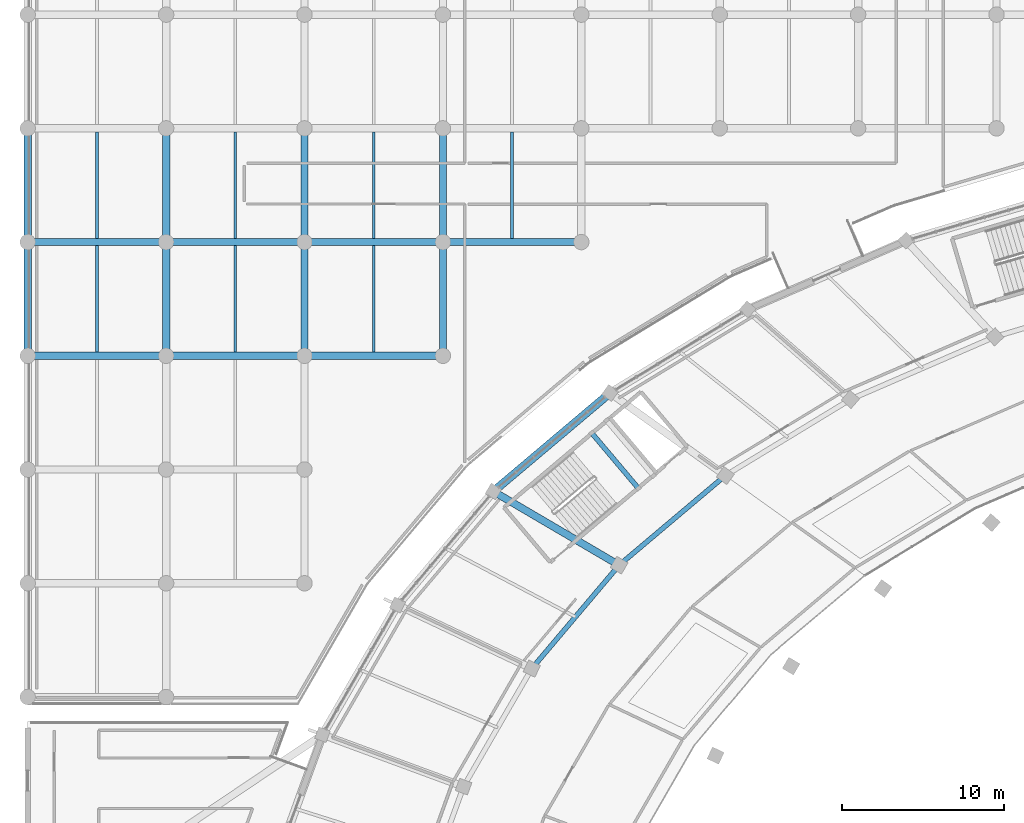
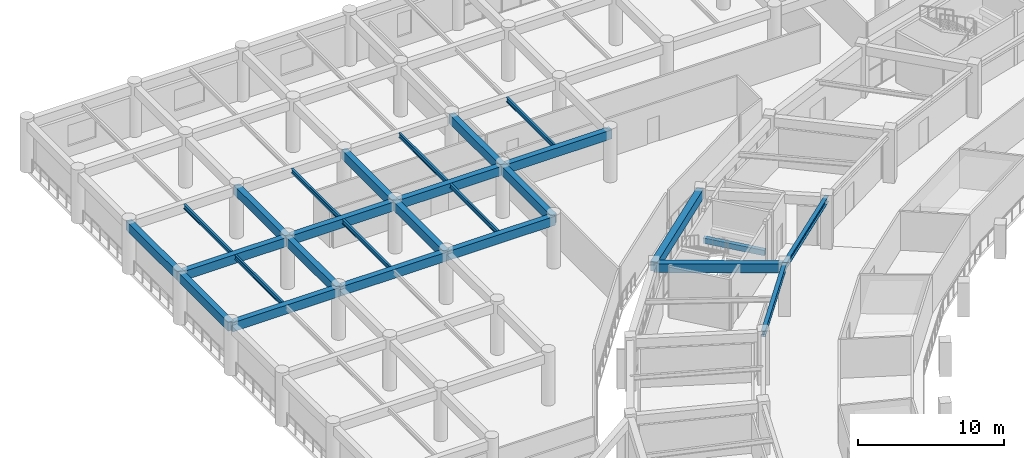
# One storey, part 50 of 141: 27 beams.
"""IFC4 building model written with IfcOpenShell, lengths in metres."""

import ifcopenshell
import ifcopenshell.guid

model = None  # the IFC model being written
_history = None  # IfcOwnerHistory: only IFC2X3 demands one
_inside = {}  # id of a spatial element -> (the spatial element, [elements in it])
_under = {}  # id of a project, library or spatial element -> (it, [spatial elements below it])
_declared = {}  # id of a project -> (the project, [libraries it declares])
_typed = {}  # id of a type object -> (the type object, [elements of that type])
_made_of = {}  # id of a material, layer set ... -> (it, [elements and type objects made of it])


def new_model(schema):
    """Start an empty IFC model of exactly this schema.

    Asked for "IFC4X3", IfcOpenShell would pick the latest addendum, in which some entities
    have other attributes; the version numbers below select the first issue.
    IFC2X3 requires an IfcOwnerHistory on every rooted entity: one is made here for all.
    """
    global model, _history
    if schema == "IFC4X3":
        model = ifcopenshell.file(schema_version=(4, 3, 0, 0))
    else:
        model = ifcopenshell.file(schema=schema)
    _inside.clear()
    _under.clear()
    _declared.clear()
    _typed.clear()
    _made_of.clear()
    _history = None
    if model.schema == "IFC2X3":
        org = make("IfcOrganization", Name="unknown")
        user = make(
            "IfcPersonAndOrganization",
            ThePerson=make("IfcPerson", FamilyName="unknown"),
            TheOrganization=org,
        )
        app = make(
            "IfcApplication",
            ApplicationDeveloper=org,
            Version="unknown",
            ApplicationFullName="unknown",
            ApplicationIdentifier="unknown",
        )
        _history = make(
            "IfcOwnerHistory",
            OwningUser=user,
            OwningApplication=app,
            ChangeAction="ADDED",
            CreationDate=0,
        )
    return model


def make(cls, **values):
    """One entity of the class cls with the attributes given. An attribute that is None is left unset."""
    return model.create_entity(
        cls, **{name: value for name, value in values.items() if value is not None}
    )


def rooted(cls, **values):
    """An entity with a GlobalId (a new one), such as an element, a storey or a relation."""
    return make(cls, GlobalId=ifcopenshell.guid.new(), OwnerHistory=_history, **values)


def si_unit(unit_type, name, prefix=None):
    """IfcSIUnit, for example si_unit("LENGTHUNIT", "METRE", prefix="MILLI")."""
    return make("IfcSIUnit", UnitType=unit_type, Prefix=prefix, Name=name)


def assignment(units):
    """IfcUnitAssignment: the units of a project."""
    return None if units is None else make("IfcUnitAssignment", Units=units)


def point(xyz):
    """IfcCartesianPoint."""
    return None if xyz is None else make("IfcCartesianPoint", Coordinates=xyz)


def direction(xyz):
    """IfcDirection."""
    return None if xyz is None else make("IfcDirection", DirectionRatios=xyz)


def frame(location, z_axis=None, x_axis=None):
    """IfcAxis2Placement3D, a coordinate frame: its origin and axes. An axis left out is left unset."""
    return make(
        "IfcAxis2Placement3D",
        Location=point(location),
        Axis=direction(z_axis),
        RefDirection=direction(x_axis),
    )


def frame_2d(location, x_axis=None):
    """IfcAxis2Placement2D, a coordinate frame in the plane: its origin and x axis."""
    return make(
        "IfcAxis2Placement2D", Location=point(location), RefDirection=direction(x_axis)
    )


def origin():
    """The frame at (0, 0, 0) with its axes left unset."""
    return frame((0.0, 0.0, 0.0))


def origin_2d():
    """The frame at (0, 0) in the plane with its x axis left unset."""
    return frame_2d((0.0, 0.0))


def place(relative_to, where):
    """IfcLocalPlacement: puts the frame where relative to a parent placement (None: the world)."""
    return make(
        "IfcLocalPlacement", PlacementRelTo=relative_to, RelativePlacement=where
    )


def context(
    kind, dimensions, precision=None, world=None, true_north=None, identifier=None
):
    """IfcGeometricRepresentationContext, for example the 3D "Model" context."""
    return make(
        "IfcGeometricRepresentationContext",
        ContextIdentifier=identifier,
        ContextType=kind,
        CoordinateSpaceDimension=dimensions,
        Precision=precision,
        WorldCoordinateSystem=world,
        TrueNorth=true_north,
    )


def subcontext(parent, identifier, kind, view, scale=None):
    """IfcGeometricRepresentationSubContext, for example "Body" below "Model"."""
    return make(
        "IfcGeometricRepresentationSubContext",
        ContextIdentifier=identifier,
        ContextType=kind,
        ParentContext=parent,
        TargetScale=scale,
        TargetView=view,
    )


def project(units=None, contexts=None):
    """IfcProject with its units and contexts."""
    return rooted(
        "IfcProject",
        Name="project",
        RepresentationContexts=contexts,
        UnitsInContext=assignment(units),
    )


def spatial(cls, under=None, at=None, **own):
    """A site, building, storey or space (cls), placed at a placement, below another one or the project."""
    s = rooted(cls, ObjectPlacement=at, **own)
    if under is not None:
        _under.setdefault(under.id(), (under, []))[1].append(s)
    return s


def profile(cls, at=None, kind="AREA", **sizes):
    """A parametric profile (cls). Its sizes go by their IFC names, for example OverallWidth=200.0."""
    return make(cls, ProfileType=kind, Position=at, **sizes)


def rectangle(**sizes):
    """IfcRectangleProfileDef."""
    return profile("IfcRectangleProfileDef", **sizes)


def i_section(**sizes):
    """IfcIShapeProfileDef."""
    return profile("IfcIShapeProfileDef", **sizes)


def extrude(swept, where, along, depth):
    """IfcExtrudedAreaSolid: the profile swept, set in the frame where, extruded along a direction by depth."""
    return make(
        "IfcExtrudedAreaSolid",
        SweptArea=swept,
        Position=where,
        ExtrudedDirection=direction(along),
        Depth=depth,
    )


def shape(context_of_items, identifier, shape_type, items):
    """IfcShapeRepresentation: the items that make up one representation, for example the "Body"."""
    return make(
        "IfcShapeRepresentation",
        ContextOfItems=context_of_items,
        RepresentationIdentifier=identifier,
        RepresentationType=shape_type,
        Items=items,
    )


def material(Name=None, Category=None):
    """IfcMaterial."""
    return make("IfcMaterial", Name=Name, Category=Category)


def material_profile(
    of_material, cross_section, Name=None, Category=None, Priority=None
):
    """IfcMaterialProfile: a cross section and its material."""
    return make(
        "IfcMaterialProfile",
        Name=Name,
        Material=of_material,
        Profile=cross_section,
        Priority=Priority,
        Category=Category,
    )


def profile_set(profiles, Name=None, composite=None):
    """IfcMaterialProfileSet."""
    return make(
        "IfcMaterialProfileSet",
        Name=Name,
        MaterialProfiles=profiles,
        CompositeProfile=composite,
    )


def made_of(thing, what):
    """Note that an element or type object is made of a material, layer set ...; save() writes the relation."""
    if what is not None:
        _made_of.setdefault(what.id(), (what, []))[1].append(thing)
    return thing


def type_object(cls, material=None, **own):
    """A type object (cls), such as IfcWallType, which elements share."""
    return made_of(rooted(cls, **own), material)


def element(
    cls,
    number,
    at=None,
    inside=None,
    cuts=None,
    type_object=None,
    material=None,
    context=None,
    identifier="Body",
    shape_type=None,
    held_by="IfcProductDefinitionShape",
    body=None,
    shapes=None,
    **own,
):
    """One element of the class cls, such as IfcWall. Its Tag is "e" and its number.

    at: its placement. inside: the storey or other place that contains it. cuts: it is an
    opening in that element (IfcRelVoidsElement). A single representation is given by context,
    identifier, shape_type and body (its items); several are given by shapes. held_by: the class
    of the entity that holds the representations. save() writes the other relations.
    """
    e = rooted(cls, Tag="e%d" % number, ObjectPlacement=at, **own)
    if body is not None:
        shapes = [shape(context, identifier, shape_type, body)]
    if shapes is not None:
        e.Representation = make(held_by, Representations=shapes)
    if inside is not None:
        _inside.setdefault(inside.id(), (inside, []))[1].append(e)
    if cuts is not None:
        rooted(
            "IfcRelVoidsElement", RelatingBuildingElement=cuts, RelatedOpeningElement=e
        )
    if type_object is not None:
        _typed.setdefault(type_object.id(), (type_object, []))[1].append(e)
    return made_of(e, material)


def aggregate(whole, parts):
    """IfcRelAggregates: a whole, such as a stair, and the parts it consists of."""
    return rooted("IfcRelAggregates", RelatingObject=whole, RelatedObjects=parts)


def save(model, path):
    """Write the relations noted so far, then the file.

    IfcRelAggregates (storeys below a building ...), IfcRelContainedInSpatialStructure (elements
    in a storey), IfcRelDefinesByType, IfcRelAssociatesMaterial and IfcRelDeclares: one each for
    every whole, place, type object, material and project.
    """
    for whole, parts in _under.values():
        aggregate(whole, parts)
    for where, things in _inside.values():
        rooted(
            "IfcRelContainedInSpatialStructure",
            RelatedElements=things,
            RelatingStructure=where,
        )
    for kind, things in _typed.values():
        rooted("IfcRelDefinesByType", RelatedObjects=things, RelatingType=kind)
    for what, things in _made_of.values():
        rooted("IfcRelAssociatesMaterial", RelatedObjects=things, RelatingMaterial=what)
    for by, libraries in _declared.values():
        rooted("IfcRelDeclares", RelatingContext=by, RelatedDefinitions=libraries)
    model.write(path)


model = new_model("IFC4")

# Units and contexts
model_context = context("Model", 3, precision=1e-05, world=origin(), true_north=direction((0.0, 1.0)))
body_context = subcontext(model_context, "Body", "Model", "MODEL_VIEW")
ifc_project = project(units=[si_unit("LENGTHUNIT", "METRE"), si_unit("AREAUNIT", "SQUARE_METRE"), si_unit("VOLUMEUNIT", "CUBIC_METRE"), si_unit("PLANEANGLEUNIT", "RADIAN"), si_unit("MASSUNIT", "GRAM", prefix="KILO")], contexts=[model_context])

# Site, building, storey
site_placement = place(None, origin())
site = spatial("IfcSite", under=ifc_project, at=site_placement, CompositionType="ELEMENT")
building_placement = place(site_placement, origin())
building = spatial("IfcBuilding", under=site, at=building_placement, Name="Mphavela Belvedere Stadium", CompositionType="ELEMENT")
storey_placement = place(building_placement, frame((0.0, 0.0, 14.699951171875)))
storey = spatial("IfcBuildingStorey", under=building, at=storey_placement, Name="L03", CompositionType="ELEMENT", Elevation=14.699951171875)

# Beams
ifc_material_1 = material(Name="Steel S355", Category="steel")
ifc_material_profile_1 = material_profile(ifc_material_1, i_section(OverallWidth=0.169921875, OverallDepth=0.360107421875, WebThickness=0.008056640625, FlangeThickness=0.0126953125, at=origin_2d()), Name="IPE 360")
ifc_profile_set_1 = profile_set([ifc_material_profile_1], Name="Steel S355")
beam_type_1 = type_object("IfcBeamType", Name="BM-JOIST-IPE360", PredefinedType="JOIST", material=ifc_profile_set_1)
for number, where, z_axis, x_axis, name in (
    (1, (4.259521484375, 146.22509765625, 4.06005859375), (0.0, 1.0, 0.0), (-1.0, 0.0, 0.0), "North Mast and Ceremonial End Forecourt secondary joist L03 1-4"),
    (2, (4.259521484375, 153.22509765625, 4.06005859375), (0.0, 1.0, 0.0), (-1.0, 0.0, 0.0), "North Mast and Ceremonial End Forecourt secondary joist L03 1-5"),
    (3, (12.778076171875, 146.22509765625, 4.06005859375), (0.0, 1.0, 0.0), (-1.0, 0.0, 0.0), "North Mast and Ceremonial End Forecourt secondary joist L03 2-4"),
    (4, (12.778076171875, 153.22509765625, 4.06005859375), (0.0, 1.0, 0.0), (-1.0, 0.0, 0.0), "North Mast and Ceremonial End Forecourt secondary joist L03 2-5"),
    (5, (21.29638671875, 146.22509765625, 4.06005859375), (0.0, 1.0, 0.0), (-1.0, 0.0, 0.0), "North Mast and Ceremonial End Forecourt secondary joist L03 3-4"),
    (6, (21.29638671875, 153.22509765625, 4.06005859375), (0.0, 1.0, 0.0), (-1.0, 0.0, 0.0), "North Mast and Ceremonial End Forecourt secondary joist L03 3-5"),
    (7, (29.81494140625, 153.22509765625, 4.06005859375), (0.0, 1.0, 0.0), (-1.0, 0.0, 0.0), "North Mast and Ceremonial End Forecourt secondary joist L03 4-5"),
):
    element("IfcBeam", number, at=place(storey_placement, frame(where, z_axis=z_axis, x_axis=x_axis)), inside=storey, type_object=beam_type_1, Name=name, PredefinedType="JOIST", context=body_context, shape_type="SweptSolid", body=[
        extrude(i_section(OverallWidth=0.169921875, OverallDepth=0.360107421875, WebThickness=0.008056640625, FlangeThickness=0.0126953125, at=origin_2d()), origin(), (0.0, 0.0, 1.0), 6.5498046875),
    ])
ifc_material_2 = material(Name="Concrete C40/50", Category="concrete")
ifc_material_profile_2 = material_profile(ifc_material_2, rectangle(XDim=0.300048828125, YDim=0.449951171875, at=origin_2d()), Name="RC 300x450")
ifc_profile_set_2 = profile_set([ifc_material_profile_2], Name="Concrete C40/50")
beam_type_2 = type_object("IfcBeamType", Name="BM-RC300x450", PredefinedType="BEAM", material=ifc_profile_set_2)
beam_1_placement = place(storey_placement, frame((37.5927734375, 137.838623046875, 1.824951171875), z_axis=(-0.644915803055, 0.764253627384, 0.0), x_axis=(-0.764253627384, -0.644915803055, 0.0)))
element("IfcBeam", 8, at=beam_1_placement, inside=storey, type_object=beam_type_2, Name="Core C05 landing trimmer beam L03-1", PredefinedType="BEAM", context=body_context, shape_type="SweptSolid", body=[
    extrude(rectangle(XDim=0.300048828125, YDim=0.449951171875, at=origin_2d()), origin(), (0.0, 0.0, 1.0), 4.469970703125),
])
ifc_material_3 = material(Name="Concrete C40/50", Category="concrete")
ifc_material_profile_3 = material_profile(ifc_material_3, rectangle(XDim=0.449951171875, YDim=0.75, at=origin_2d()), Name="RC 450x750")
ifc_profile_set_3 = profile_set([ifc_material_profile_3], Name="Concrete C40/50")
beam_type_3 = type_object("IfcBeamType", Name="BM-RC450x750", PredefinedType="BEAM", material=ifc_profile_set_3)
beam_2_placement = place(storey_placement, frame((36.399658203125, 133.11376953125, 3.875), z_axis=(-0.862517779395, 0.506026758411, 0.0), x_axis=(-0.506026758411, -0.862517779395, 0.0)))
element("IfcBeam", 9, at=beam_2_placement, inside=storey, type_object=beam_type_3, Name="Radial concourse girder L03 R3R4-20", PredefinedType="BEAM", context=body_context, shape_type="SweptSolid", body=[
    extrude(rectangle(XDim=0.449951171875, YDim=0.75, at=origin_2d()), origin(), (0.0, 0.0, 1.0), 8.971435546875),
])
beam_3_placement = place(storey_placement, frame((0.0, 146.0, 3.864990234375), z_axis=(1.0, 0.0, 0.0), x_axis=(0.0, 1.0, 0.0)))
element("IfcBeam", 10, at=beam_3_placement, inside=storey, type_object=beam_type_3, Name="North Mast and Ceremonial End Forecourt entablature beam X L03 1-4", PredefinedType="BEAM", context=body_context, shape_type="SweptSolid", body=[
    extrude(rectangle(XDim=0.449951171875, YDim=0.75, at=origin_2d()), origin(), (0.0, 0.0, 1.0), 8.51904296875),
])
beam_4_placement = place(storey_placement, frame((0.0, 146.0, 3.864990234375), z_axis=(0.0, 1.0, 0.0), x_axis=(-1.0, 0.0, 0.0)))
element("IfcBeam", 11, at=beam_4_placement, inside=storey, type_object=beam_type_3, Name="North Mast and Ceremonial End Forecourt entablature beam Y L03 1-4", PredefinedType="BEAM", context=body_context, shape_type="SweptSolid", body=[
    extrude(rectangle(XDim=0.449951171875, YDim=0.75, at=origin_2d()), origin(), (0.0, 0.0, 1.0), 7.0),
])
beam_5_placement = place(storey_placement, frame((0.0, 153.0, 3.864990234375), z_axis=(1.0, 0.0, 0.0), x_axis=(0.0, 1.0, 0.0)))
element("IfcBeam", 12, at=beam_5_placement, inside=storey, type_object=beam_type_3, Name="North Mast and Ceremonial End Forecourt entablature beam X L03 1-5", PredefinedType="BEAM", context=body_context, shape_type="SweptSolid", body=[
    extrude(rectangle(XDim=0.449951171875, YDim=0.75, at=origin_2d()), origin(), (0.0, 0.0, 1.0), 8.51904296875),
])
beam_6_placement = place(storey_placement, frame((0.0, 153.0, 3.864990234375), z_axis=(0.0, 1.0, 0.0), x_axis=(-1.0, 0.0, 0.0)))
element("IfcBeam", 13, at=beam_6_placement, inside=storey, type_object=beam_type_3, Name="North Mast and Ceremonial End Forecourt entablature beam Y L03 1-5", PredefinedType="BEAM", context=body_context, shape_type="SweptSolid", body=[
    extrude(rectangle(XDim=0.449951171875, YDim=0.75, at=origin_2d()), origin(), (0.0, 0.0, 1.0), 7.0),
])
beam_7_placement = place(storey_placement, frame((8.51904296875, 146.0, 3.864990234375), z_axis=(1.0, 0.0, 0.0), x_axis=(0.0, 1.0, 0.0)))
element("IfcBeam", 14, at=beam_7_placement, inside=storey, type_object=beam_type_3, Name="North Mast and Ceremonial End Forecourt entablature beam X L03 2-4", PredefinedType="BEAM", context=body_context, shape_type="SweptSolid", body=[
    extrude(rectangle(XDim=0.449951171875, YDim=0.75, at=origin_2d()), origin(), (0.0, 0.0, 1.0), 8.51806640625),
])
beam_8_placement = place(storey_placement, frame((8.51904296875, 146.0, 3.864990234375), z_axis=(0.0, 1.0, 0.0), x_axis=(-1.0, 0.0, 0.0)))
element("IfcBeam", 15, at=beam_8_placement, inside=storey, type_object=beam_type_3, Name="North Mast and Ceremonial End Forecourt entablature beam Y L03 2-4", PredefinedType="BEAM", context=body_context, shape_type="SweptSolid", body=[
    extrude(rectangle(XDim=0.449951171875, YDim=0.75, at=origin_2d()), origin(), (0.0, 0.0, 1.0), 7.0),
])
beam_9_placement = place(storey_placement, frame((8.51904296875, 153.0, 3.864990234375), z_axis=(1.0, 0.0, 0.0), x_axis=(0.0, 1.0, 0.0)))
element("IfcBeam", 16, at=beam_9_placement, inside=storey, type_object=beam_type_3, Name="North Mast and Ceremonial End Forecourt entablature beam X L03 2-5", PredefinedType="BEAM", context=body_context, shape_type="SweptSolid", body=[
    extrude(rectangle(XDim=0.449951171875, YDim=0.75, at=origin_2d()), origin(), (0.0, 0.0, 1.0), 8.51806640625),
])
beam_10_placement = place(storey_placement, frame((8.51904296875, 153.0, 3.864990234375), z_axis=(0.0, 1.0, 0.0), x_axis=(-1.0, 0.0, 0.0)))
element("IfcBeam", 17, at=beam_10_placement, inside=storey, type_object=beam_type_3, Name="North Mast and Ceremonial End Forecourt entablature beam Y L03 2-5", PredefinedType="BEAM", context=body_context, shape_type="SweptSolid", body=[
    extrude(rectangle(XDim=0.449951171875, YDim=0.75, at=origin_2d()), origin(), (0.0, 0.0, 1.0), 7.0),
])
beam_11_placement = place(storey_placement, frame((17.037109375, 146.0, 3.864990234375), z_axis=(1.0, 0.0, 0.0), x_axis=(0.0, 1.0, 0.0)))
element("IfcBeam", 18, at=beam_11_placement, inside=storey, type_object=beam_type_3, Name="North Mast and Ceremonial End Forecourt entablature beam X L03 3-4", PredefinedType="BEAM", context=body_context, shape_type="SweptSolid", body=[
    extrude(rectangle(XDim=0.449951171875, YDim=0.75, at=origin_2d()), origin(), (0.0, 0.0, 1.0), 8.518798828125),
])
beam_12_placement = place(storey_placement, frame((17.037109375, 146.0, 3.864990234375), z_axis=(0.0, 1.0, 0.0), x_axis=(-1.0, 0.0, 0.0)))
element("IfcBeam", 19, at=beam_12_placement, inside=storey, type_object=beam_type_3, Name="North Mast and Ceremonial End Forecourt entablature beam Y L03 3-4", PredefinedType="BEAM", context=body_context, shape_type="SweptSolid", body=[
    extrude(rectangle(XDim=0.449951171875, YDim=0.75, at=origin_2d()), origin(), (0.0, 0.0, 1.0), 7.0),
])
beam_13_placement = place(storey_placement, frame((17.037109375, 153.0, 3.864990234375), z_axis=(1.0, 0.0, 0.0), x_axis=(0.0, 1.0, 0.0)))
element("IfcBeam", 20, at=beam_13_placement, inside=storey, type_object=beam_type_3, Name="North Mast and Ceremonial End Forecourt entablature beam X L03 3-5", PredefinedType="BEAM", context=body_context, shape_type="SweptSolid", body=[
    extrude(rectangle(XDim=0.449951171875, YDim=0.75, at=origin_2d()), origin(), (0.0, 0.0, 1.0), 8.518798828125),
])
for number, where, z_axis, x_axis, name in (
    (21, (17.037109375, 153.0, 3.864990234375), (0.0, 1.0, 0.0), (-1.0, 0.0, 0.0), "North Mast and Ceremonial End Forecourt entablature beam Y L03 3-5"),
    (22, (25.555908203125, 146.0, 3.864990234375), (0.0, 1.0, 0.0), (-1.0, 0.0, 0.0), "North Mast and Ceremonial End Forecourt entablature beam Y L03 4-4"),
):
    element("IfcBeam", number, at=place(storey_placement, frame(where, z_axis=z_axis, x_axis=x_axis)), inside=storey, type_object=beam_type_3, Name=name, PredefinedType="BEAM", context=body_context, shape_type="SweptSolid", body=[
        extrude(rectangle(XDim=0.449951171875, YDim=0.75, at=origin_2d()), origin(), (0.0, 0.0, 1.0), 7.0),
    ])
beam_14_placement = place(storey_placement, frame((25.555908203125, 153.0, 3.864990234375), z_axis=(1.0, 0.0, 0.0), x_axis=(0.0, 1.0, 0.0)))
element("IfcBeam", 23, at=beam_14_placement, inside=storey, type_object=beam_type_3, Name="North Mast and Ceremonial End Forecourt entablature beam X L03 4-5", PredefinedType="BEAM", context=body_context, shape_type="SweptSolid", body=[
    extrude(rectangle(XDim=0.449951171875, YDim=0.75, at=origin_2d()), origin(), (0.0, 0.0, 1.0), 8.51806640625),
])
beam_15_placement = place(storey_placement, frame((25.555908203125, 153.0, 3.864990234375), z_axis=(0.0, 1.0, 0.0), x_axis=(-1.0, 0.0, 0.0)))
element("IfcBeam", 24, at=beam_15_placement, inside=storey, type_object=beam_type_3, Name="North Mast and Ceremonial End Forecourt entablature beam Y L03 4-5", PredefinedType="BEAM", context=body_context, shape_type="SweptSolid", body=[
    extrude(rectangle(XDim=0.449951171875, YDim=0.75, at=origin_2d()), origin(), (0.0, 0.0, 1.0), 7.0),
])
ifc_material_4 = material(Name="Concrete C40/50", Category="concrete")
ifc_material_profile_4 = material_profile(ifc_material_4, rectangle(XDim=0.5, YDim=0.800048828125, at=origin_2d()), Name="RC 500x800")
ifc_profile_set_4 = profile_set([ifc_material_profile_4], Name="Concrete C40/50")
beam_type_4 = type_object("IfcBeamType", Name="BM-SPANDREL-800", PredefinedType="SPANDREL", material=ifc_profile_set_4)
beam_16_placement = place(storey_placement, frame((35.844482421875, 143.714599609375, 3.85009765625), z_axis=(-0.76426547638, -0.644901761212, 0.0), x_axis=(0.644901761212, -0.76426547638, 0.0)))
element("IfcBeam", 25, at=beam_16_placement, inside=storey, type_object=beam_type_4, Name="Circumferential girder L03 R4-19", PredefinedType="SPANDREL", context=body_context, shape_type="SweptSolid", body=[
    extrude(rectangle(XDim=0.5, YDim=0.800048828125, at=origin_2d()), origin(), (0.0, 0.0, 1.0), 9.3984375),
])
ifc_material_5 = material(Name="Steel S355", Category="steel")
ifc_material_profile_5 = material_profile(ifc_material_5, i_section(OverallWidth=0.300048828125, OverallDepth=0.489990234375, WebThickness=0.011962890625, FlangeThickness=0.02294921875, at=origin_2d()), Name="HEA 500")
ifc_profile_set_5 = profile_set([ifc_material_profile_5], Name="Steel S355")
beam_type_5 = type_object("IfcBeamType", Name="BM-STEEL-HEA500", PredefinedType="BEAM", material=ifc_profile_set_5)
beam_17_placement = place(storey_placement, frame((42.938720703125, 138.631591796875, 4.005126953125), z_axis=(-0.764263355392, -0.644904274761, 0.0), x_axis=(0.644904274761, -0.764263355392, 0.0)))
element("IfcBeam", 26, at=beam_17_placement, inside=storey, type_object=beam_type_5, Name="Circumferential girder L03 R3-19", PredefinedType="BEAM", context=body_context, shape_type="SweptSolid", body=[
    extrude(i_section(OverallWidth=0.300048828125, OverallDepth=0.489990234375, WebThickness=0.011962890625, FlangeThickness=0.02294921875, at=origin_2d()), origin(), (0.0, 0.0, 1.0), 8.55615234375),
])
beam_18_placement = place(storey_placement, frame((36.399658203125, 133.11376953125, 4.005126953125), z_axis=(-0.645177396673, -0.764032804808, 0.0), x_axis=(0.764032804808, -0.645177396673, 0.0)))
element("IfcBeam", 27, at=beam_18_placement, inside=storey, type_object=beam_type_5, Name="Circumferential girder L03 R3-20", PredefinedType="BEAM", context=body_context, shape_type="SweptSolid", body=[
    extrude(i_section(OverallWidth=0.300048828125, OverallDepth=0.489990234375, WebThickness=0.011962890625, FlangeThickness=0.02294921875, at=origin_2d()), origin(), (0.0, 0.0, 1.0), 8.331298828125),
])

save(model, "model.ifc")
